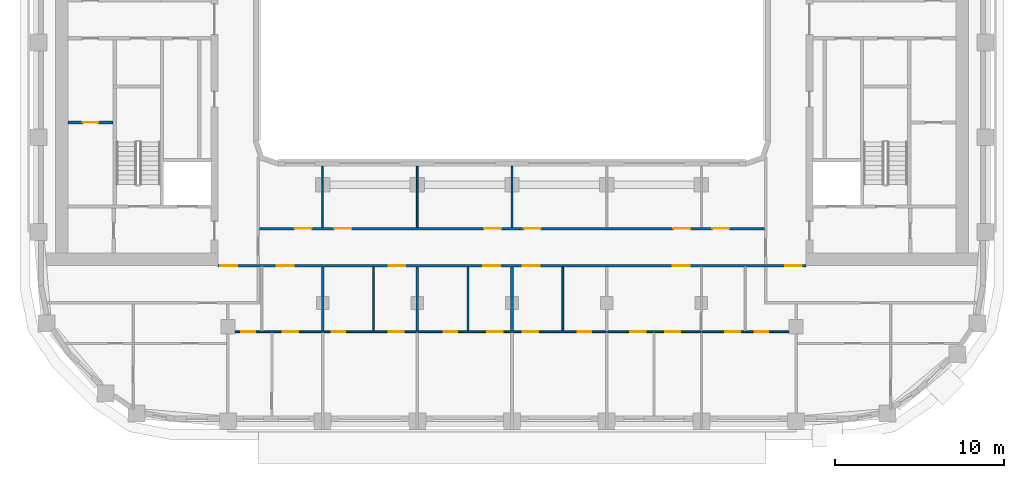
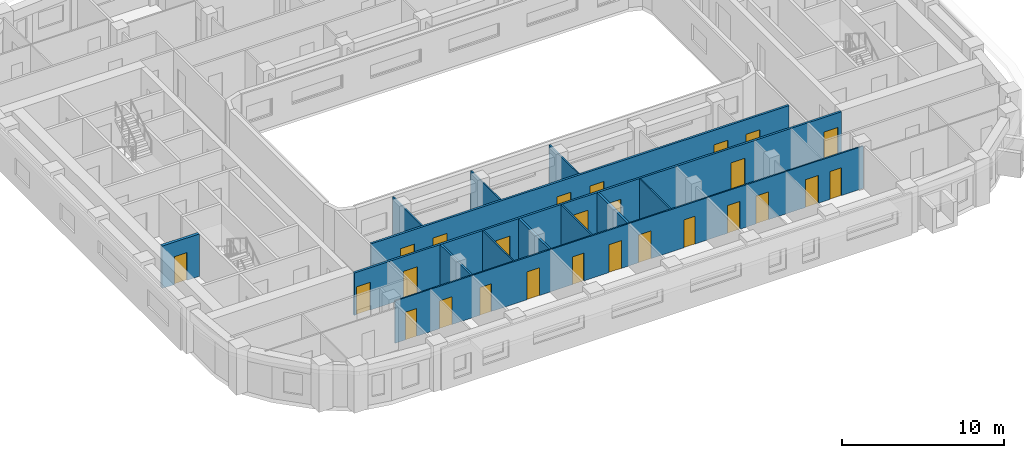
# One storey, part 3 of 22: 26 doors, 13 walls, 26 openings.
"""IFC4 building model written with IfcOpenShell, lengths in metres."""

from ifc_helpers import new_model, si_unit, direction, frame, frame_2d, origin, place, context, subcontext, project, spatial, rectangle, extrude, material, layer, layer_set, type_object, element, fill, save


model = new_model("IFC4")

# Units and contexts
model_context = context("Model", 3, precision=1e-05, world=origin(), true_north=direction((0.0, 1.0)))
body_context = subcontext(model_context, "Body", "Model", "MODEL_VIEW")
ifc_project = project(units=[si_unit("LENGTHUNIT", "METRE"), si_unit("AREAUNIT", "SQUARE_METRE"), si_unit("VOLUMEUNIT", "CUBIC_METRE"), si_unit("PLANEANGLEUNIT", "RADIAN"), si_unit("MASSUNIT", "GRAM", prefix="KILO")], contexts=[model_context])

# Site, building, storey
site_placement = place(None, origin())
site = spatial("IfcSite", under=ifc_project, at=site_placement, CompositionType="ELEMENT")
building_placement = place(site_placement, origin())
building = spatial("IfcBuilding", under=site, at=building_placement, Name="Kiln Ring Residences", CompositionType="ELEMENT")
storey_placement = place(building_placement, frame((0.0, 0.0, 164.10009765625)))
storey = spatial("IfcBuildingStorey", under=building, at=storey_placement, Name="L42", CompositionType="ELEMENT", Elevation=164.10009765625)

# Wall, opening, door
ifc_material_1 = material(Name="Gypsum board on steel studs", Category="steel")
ifc_layer_1 = layer(ifc_material_1, 0.199951171875)
ifc_layer_set_1 = layer_set([ifc_layer_1], Name="CORE-PARTITION-200")
wall_type_1 = type_object("IfcWallType", Name="CORE-PARTITION-200", PredefinedType="PARTITIONING", material=ifc_layer_set_1)
wall_1_placement = place(storey_placement, frame((-23.60009765625, -4.72509765625, 0.0), z_axis=(0.0, 0.0, 1.0), x_axis=(-1.0, 0.0, 0.0)))
wall_1 = element("IfcWall", 1, at=wall_1_placement, inside=storey, type_object=wall_type_1, Name="Core partition west L42 6", PredefinedType="PARTITIONING", context=body_context, shape_type="SweptSolid", body=[
    extrude(rectangle(XDim=2.64990234375, YDim=0.199951171875, at=frame_2d((1.324951171875, 0.0))), origin(), (0.0, 0.0, 1.0), 3.199951171875),
])
opening_1_placement = place(wall_1_placement, frame((0.875, 0.0, 0.0)))
opening_1 = element("IfcOpeningElement", 2, at=opening_1_placement, cuts=wall_1, Name="Opening L42-CW15", PredefinedType="OPENING", context=body_context, shape_type="SweptSolid", body=[
    extrude(rectangle(XDim=0.89990234375, YDim=2.10009765625, at=frame_2d((0.449951171875, 1.050048828125))), frame((0.0, 0.10986328125, 0.0), z_axis=(0.0, -1.0, 0.0), x_axis=(1.0, 0.0, 0.0)), (0.0, 0.0, 1.0), 0.219970703125),
])
ifc_material_2 = material(Name="Steel door leaf", Category="steel")
door_type_1 = type_object("IfcDoorType", Name="CORE-DOOR-ROOM", OperationType="SINGLE_SWING_LEFT", PredefinedType="DOOR", material=ifc_material_2)
door_1_placement = place(opening_1_placement, origin())
door_1 = element("IfcDoor", 3, at=door_1_placement, inside=storey, type_object=door_type_1, Name="Meter room L42-CW15", OperationType="SINGLE_SWING_RIGHT", OverallHeight=2.10009765625, OverallWidth=0.89990234375, PredefinedType="DOOR", context=body_context, shape_type="SweptSolid", body=[
    extrude(rectangle(XDim=0.89990234375, YDim=2.10009765625, at=frame_2d((0.449951171875, 1.050048828125))), frame((0.0, 0.02490234375, 0.0), z_axis=(0.0, -1.0, 0.0), x_axis=(1.0, 0.0, 0.0)), (0.0, 0.0, 1.0), 0.050048828125),
])
fill(opening_1, door_1)

# Wall, openings, doors
ifc_material_3 = material(Name="Gypsum board on steel studs", Category="steel")
ifc_layer_2 = layer(ifc_material_3, 0.10009765625)
ifc_layer_set_2 = layer_set([ifc_layer_2], Name="PARTITION-100")
wall_type_2 = type_object("IfcWallType", Name="PARTITION-100", PredefinedType="PARTITIONING", material=ifc_layer_set_2)
wall_2_placement = place(storey_placement, frame((-16.72509765625, -17.10009765625, 0.0), z_axis=(0.0, 0.0, 1.0), x_axis=(1.0, 0.0, 0.0)))
wall_2 = element("IfcWall", 4, at=wall_2_placement, inside=storey, type_object=wall_type_2, Name="Partition 002", PredefinedType="PARTITIONING", context=body_context, shape_type="SweptSolid", body=[
    extrude(rectangle(XDim=33.4501953125, YDim=0.10009765625, at=frame_2d((16.72509765625, 0.0))), origin(), (0.0, 0.0, 1.0), 3.199951171875),
])
opening_2_placement = place(wall_2_placement, frame((0.72509765625, 0.0, 0.0)))
opening_2 = element("IfcOpeningElement", 5, at=opening_2_placement, cuts=wall_2, Name="Opening L42-D048", PredefinedType="OPENING", context=body_context, shape_type="SweptSolid", body=[
    extrude(rectangle(XDim=0.800048828125, YDim=2.10009765625, at=frame_2d((0.39990234375, 1.050048828125))), frame((0.0, 0.06005859375, 0.0), z_axis=(0.0, -1.0, 0.0), x_axis=(1.0, 0.0, 0.0)), (0.0, 0.0, 1.0), 0.1201171875),
])
opening_3_placement = place(wall_2_placement, frame((3.175048828125, 0.0, 0.0)))
opening_3 = element("IfcOpeningElement", 6, at=opening_3_placement, cuts=wall_2, Name="Opening L42-D049", PredefinedType="OPENING", context=body_context, shape_type="SweptSolid", body=[
    extrude(rectangle(XDim=0.89990234375, YDim=2.10009765625, at=frame_2d((0.449951171875, 1.050048828125))), frame((0.0, 0.06005859375, 0.0), z_axis=(0.0, -1.0, 0.0), x_axis=(1.0, 0.0, 0.0)), (0.0, 0.0, 1.0), 0.1201171875),
])
opening_4_placement = place(wall_2_placement, frame((6.074951171875, 0.0, 0.0)))
opening_4 = element("IfcOpeningElement", 7, at=opening_4_placement, cuts=wall_2, Name="Opening L42-D052", PredefinedType="OPENING", context=body_context, shape_type="SweptSolid", body=[
    extrude(rectangle(XDim=0.800048828125, YDim=2.10009765625, at=frame_2d((0.39990234375, 1.050048828125))), frame((0.0, 0.06005859375, 0.0), z_axis=(0.0, -1.0, 0.0), x_axis=(1.0, 0.0, 0.0)), (0.0, 0.0, 1.0), 0.1201171875),
])
opening_5_placement = place(wall_2_placement, frame((9.425048828125, 0.0, 0.0)))
opening_5 = element("IfcOpeningElement", 8, at=opening_5_placement, cuts=wall_2, Name="Opening L42-D053", PredefinedType="OPENING", context=body_context, shape_type="SweptSolid", body=[
    extrude(rectangle(XDim=0.89990234375, YDim=2.10009765625, at=frame_2d((0.449951171875, 1.050048828125))), frame((0.0, 0.06005859375, 0.0), z_axis=(0.0, -1.0, 0.0), x_axis=(1.0, 0.0, 0.0)), (0.0, 0.0, 1.0), 0.1201171875),
])
opening_6_placement = place(wall_2_placement, frame((12.675048828125, 0.0, 0.0)))
opening_6 = element("IfcOpeningElement", 9, at=opening_6_placement, cuts=wall_2, Name="Opening L42-D055", PredefinedType="OPENING", context=body_context, shape_type="SweptSolid", body=[
    extrude(rectangle(XDim=0.800048828125, YDim=2.10009765625, at=frame_2d((0.39990234375, 1.050048828125))), frame((0.0, 0.06005859375, 0.0), z_axis=(0.0, -1.0, 0.0), x_axis=(1.0, 0.0, 0.0)), (0.0, 0.0, 1.0), 0.1201171875),
])
opening_7_placement = place(wall_2_placement, frame((15.27490234375, 0.0, 0.0)))
opening_7 = element("IfcOpeningElement", 10, at=opening_7_placement, cuts=wall_2, Name="Opening L42-D056", PredefinedType="OPENING", context=body_context, shape_type="SweptSolid", body=[
    extrude(rectangle(XDim=0.89990234375, YDim=2.10009765625, at=frame_2d((0.449951171875, 1.050048828125))), frame((0.0, 0.06005859375, 0.0), z_axis=(0.0, -1.0, 0.0), x_axis=(1.0, 0.0, 0.0)), (0.0, 0.0, 1.0), 0.1201171875),
])
opening_8_placement = place(wall_2_placement, frame((20.625, 0.0, 0.0)))
opening_8 = element("IfcOpeningElement", 11, at=opening_8_placement, cuts=wall_2, Name="Opening L42-D058", PredefinedType="OPENING", context=body_context, shape_type="SweptSolid", body=[
    extrude(rectangle(XDim=0.800048828125, YDim=2.10009765625, at=frame_2d((0.39990234375, 1.050048828125))), frame((0.0, 0.06005859375, 0.0), z_axis=(0.0, -1.0, 0.0), x_axis=(1.0, 0.0, 0.0)), (0.0, 0.0, 1.0), 0.1201171875),
])
opening_9_placement = place(wall_2_placement, frame((17.375, 0.0, 0.0)))
opening_9 = element("IfcOpeningElement", 12, at=opening_9_placement, cuts=wall_2, Name="Opening L42-D059", PredefinedType="OPENING", context=body_context, shape_type="SweptSolid", body=[
    extrude(rectangle(XDim=0.89990234375, YDim=2.10009765625, at=frame_2d((0.449951171875, 1.050048828125))), frame((0.0, 0.06005859375, 0.0), z_axis=(0.0, -1.0, 0.0), x_axis=(1.0, 0.0, 0.0)), (0.0, 0.0, 1.0), 0.1201171875),
])
opening_10_placement = place(wall_2_placement, frame((31.074951171875, 0.0, 0.0)))
opening_10 = element("IfcOpeningElement", 13, at=opening_10_placement, cuts=wall_2, Name="Opening L42-D062", PredefinedType="OPENING", context=body_context, shape_type="SweptSolid", body=[
    extrude(rectangle(XDim=0.800048828125, YDim=2.10009765625, at=frame_2d((0.39990234375, 1.050048828125))), frame((0.0, 0.06005859375, 0.0), z_axis=(0.0, -1.0, 0.0), x_axis=(1.0, 0.0, 0.0)), (0.0, 0.0, 1.0), 0.1201171875),
])
opening_11_placement = place(wall_2_placement, frame((29.324951171875, 0.0, 0.0)))
opening_11 = element("IfcOpeningElement", 14, at=opening_11_placement, cuts=wall_2, Name="Opening L42-D063", PredefinedType="OPENING", context=body_context, shape_type="SweptSolid", body=[
    extrude(rectangle(XDim=0.89990234375, YDim=2.10009765625, at=frame_2d((0.449951171875, 1.050048828125))), frame((0.0, 0.06005859375, 0.0), z_axis=(0.0, -1.0, 0.0), x_axis=(1.0, 0.0, 0.0)), (0.0, 0.0, 1.0), 0.1201171875),
])
opening_12_placement = place(wall_2_placement, frame((23.72509765625, 0.0, 0.0)))
opening_12 = element("IfcOpeningElement", 15, at=opening_12_placement, cuts=wall_2, Name="Opening L42-D064", PredefinedType="OPENING", context=body_context, shape_type="SweptSolid", body=[
    extrude(rectangle(XDim=0.89990234375, YDim=2.10009765625, at=frame_2d((0.449951171875, 1.050048828125))), frame((0.0, 0.06005859375, 0.0), z_axis=(0.0, -1.0, 0.0), x_axis=(1.0, 0.0, 0.0)), (0.0, 0.0, 1.0), 0.1201171875),
])
opening_13_placement = place(wall_2_placement, frame((25.77490234375, 0.0, 0.0)))
opening_13 = element("IfcOpeningElement", 16, at=opening_13_placement, cuts=wall_2, Name="Opening L42-D065", PredefinedType="OPENING", context=body_context, shape_type="SweptSolid", body=[
    extrude(rectangle(XDim=0.89990234375, YDim=2.10009765625, at=frame_2d((0.449951171875, 1.050048828125))), frame((0.0, 0.06005859375, 0.0), z_axis=(0.0, -1.0, 0.0), x_axis=(1.0, 0.0, 0.0)), (0.0, 0.0, 1.0), 0.1201171875),
])
ifc_material_4 = material(Name="Timber door leaf", Category="wood")
door_type_2 = type_object("IfcDoorType", Name="FLAT-DOOR-800-PL", OperationType="SINGLE_SWING_LEFT", PredefinedType="DOOR", material=ifc_material_4)
door_2_placement = place(opening_2_placement, origin())
door_2 = element("IfcDoor", 17, at=door_2_placement, inside=storey, type_object=door_type_2, Name="Door L42-D048", OperationType="SINGLE_SWING_LEFT", OverallHeight=2.10009765625, OverallWidth=0.800048828125, PredefinedType="DOOR", context=body_context, shape_type="SweptSolid", body=[
    extrude(rectangle(XDim=0.800048828125, YDim=2.10009765625, at=frame_2d((0.39990234375, 1.050048828125))), frame((0.0, 0.02490234375, 0.0), z_axis=(0.0, -1.0, 0.0), x_axis=(1.0, 0.0, 0.0)), (0.0, 0.0, 1.0), 0.050048828125),
])
fill(opening_2, door_2)
door_3_placement = place(opening_4_placement, origin())
door_3 = element("IfcDoor", 18, at=door_3_placement, inside=storey, type_object=door_type_2, Name="Door L42-D052", OperationType="SINGLE_SWING_RIGHT", OverallHeight=2.10009765625, OverallWidth=0.800048828125, PredefinedType="DOOR", context=body_context, shape_type="SweptSolid", body=[
    extrude(rectangle(XDim=0.800048828125, YDim=2.10009765625, at=frame_2d((0.39990234375, 1.050048828125))), frame((0.0, 0.02490234375, 0.0), z_axis=(0.0, -1.0, 0.0), x_axis=(1.0, 0.0, 0.0)), (0.0, 0.0, 1.0), 0.050048828125),
])
fill(opening_4, door_3)
door_4_placement = place(opening_6_placement, origin())
door_4 = element("IfcDoor", 19, at=door_4_placement, inside=storey, type_object=door_type_2, Name="Door L42-D055", OperationType="SINGLE_SWING_LEFT", OverallHeight=2.10009765625, OverallWidth=0.800048828125, PredefinedType="DOOR", context=body_context, shape_type="SweptSolid", body=[
    extrude(rectangle(XDim=0.800048828125, YDim=2.10009765625, at=frame_2d((0.39990234375, 1.050048828125))), frame((0.0, 0.02490234375, 0.0), z_axis=(0.0, -1.0, 0.0), x_axis=(1.0, 0.0, 0.0)), (0.0, 0.0, 1.0), 0.050048828125),
])
fill(opening_6, door_4)
door_5_placement = place(opening_8_placement, origin())
door_5 = element("IfcDoor", 20, at=door_5_placement, inside=storey, type_object=door_type_2, Name="Door L42-D058", OperationType="SINGLE_SWING_RIGHT", OverallHeight=2.10009765625, OverallWidth=0.800048828125, PredefinedType="DOOR", context=body_context, shape_type="SweptSolid", body=[
    extrude(rectangle(XDim=0.800048828125, YDim=2.10009765625, at=frame_2d((0.39990234375, 1.050048828125))), frame((0.0, 0.02490234375, 0.0), z_axis=(0.0, -1.0, 0.0), x_axis=(1.0, 0.0, 0.0)), (0.0, 0.0, 1.0), 0.050048828125),
])
fill(opening_8, door_5)
door_6_placement = place(opening_10_placement, origin())
door_6 = element("IfcDoor", 21, at=door_6_placement, inside=storey, type_object=door_type_2, Name="Door L42-D062", OperationType="SINGLE_SWING_RIGHT", OverallHeight=2.10009765625, OverallWidth=0.800048828125, PredefinedType="DOOR", context=body_context, shape_type="SweptSolid", body=[
    extrude(rectangle(XDim=0.800048828125, YDim=2.10009765625, at=frame_2d((0.39990234375, 1.050048828125))), frame((0.0, 0.02490234375, 0.0), z_axis=(0.0, -1.0, 0.0), x_axis=(1.0, 0.0, 0.0)), (0.0, 0.0, 1.0), 0.050048828125),
])
fill(opening_10, door_6)
ifc_material_5 = material(Name="Timber door leaf", Category="wood")
door_type_3 = type_object("IfcDoorType", Name="FLAT-DOOR-900-PL", OperationType="SINGLE_SWING_LEFT", PredefinedType="DOOR", material=ifc_material_5)
door_7_placement = place(opening_3_placement, origin())
door_7 = element("IfcDoor", 22, at=door_7_placement, inside=storey, type_object=door_type_3, Name="Door L42-D049", OperationType="SINGLE_SWING_LEFT", OverallHeight=2.10009765625, OverallWidth=0.89990234375, PredefinedType="DOOR", context=body_context, shape_type="SweptSolid", body=[
    extrude(rectangle(XDim=0.89990234375, YDim=2.10009765625, at=frame_2d((0.449951171875, 1.050048828125))), frame((0.0, 0.02490234375, 0.0), z_axis=(0.0, -1.0, 0.0), x_axis=(1.0, 0.0, 0.0)), (0.0, 0.0, 1.0), 0.050048828125),
])
fill(opening_3, door_7)
door_8_placement = place(opening_5_placement, origin())
door_8 = element("IfcDoor", 23, at=door_8_placement, inside=storey, type_object=door_type_3, Name="Door L42-D053", OperationType="SINGLE_SWING_LEFT", OverallHeight=2.10009765625, OverallWidth=0.89990234375, PredefinedType="DOOR", context=body_context, shape_type="SweptSolid", body=[
    extrude(rectangle(XDim=0.89990234375, YDim=2.10009765625, at=frame_2d((0.449951171875, 1.050048828125))), frame((0.0, 0.02490234375, 0.0), z_axis=(0.0, -1.0, 0.0), x_axis=(1.0, 0.0, 0.0)), (0.0, 0.0, 1.0), 0.050048828125),
])
fill(opening_5, door_8)
door_9_placement = place(opening_7_placement, origin())
door_9 = element("IfcDoor", 24, at=door_9_placement, inside=storey, type_object=door_type_3, Name="Door L42-D056", OperationType="SINGLE_SWING_RIGHT", OverallHeight=2.10009765625, OverallWidth=0.89990234375, PredefinedType="DOOR", context=body_context, shape_type="SweptSolid", body=[
    extrude(rectangle(XDim=0.89990234375, YDim=2.10009765625, at=frame_2d((0.449951171875, 1.050048828125))), frame((0.0, 0.02490234375, 0.0), z_axis=(0.0, -1.0, 0.0), x_axis=(1.0, 0.0, 0.0)), (0.0, 0.0, 1.0), 0.050048828125),
])
fill(opening_7, door_9)
door_10_placement = place(opening_9_placement, origin())
door_10 = element("IfcDoor", 25, at=door_10_placement, inside=storey, type_object=door_type_3, Name="Door L42-D059", OperationType="SINGLE_SWING_LEFT", OverallHeight=2.10009765625, OverallWidth=0.89990234375, PredefinedType="DOOR", context=body_context, shape_type="SweptSolid", body=[
    extrude(rectangle(XDim=0.89990234375, YDim=2.10009765625, at=frame_2d((0.449951171875, 1.050048828125))), frame((0.0, 0.02490234375, 0.0), z_axis=(0.0, -1.0, 0.0), x_axis=(1.0, 0.0, 0.0)), (0.0, 0.0, 1.0), 0.050048828125),
])
fill(opening_9, door_10)
door_11_placement = place(opening_11_placement, origin())
door_11 = element("IfcDoor", 26, at=door_11_placement, inside=storey, type_object=door_type_3, Name="Door L42-D063", OperationType="SINGLE_SWING_RIGHT", OverallHeight=2.10009765625, OverallWidth=0.89990234375, PredefinedType="DOOR", context=body_context, shape_type="SweptSolid", body=[
    extrude(rectangle(XDim=0.89990234375, YDim=2.10009765625, at=frame_2d((0.449951171875, 1.050048828125))), frame((0.0, 0.02490234375, 0.0), z_axis=(0.0, -1.0, 0.0), x_axis=(1.0, 0.0, 0.0)), (0.0, 0.0, 1.0), 0.050048828125),
])
fill(opening_11, door_11)
door_12_placement = place(opening_12_placement, origin())
door_12 = element("IfcDoor", 27, at=door_12_placement, inside=storey, type_object=door_type_3, Name="Door L42-D064", OperationType="SINGLE_SWING_RIGHT", OverallHeight=2.10009765625, OverallWidth=0.89990234375, PredefinedType="DOOR", context=body_context, shape_type="SweptSolid", body=[
    extrude(rectangle(XDim=0.89990234375, YDim=2.10009765625, at=frame_2d((0.449951171875, 1.050048828125))), frame((0.0, 0.02490234375, 0.0), z_axis=(0.0, -1.0, 0.0), x_axis=(1.0, 0.0, 0.0)), (0.0, 0.0, 1.0), 0.050048828125),
])
fill(opening_12, door_12)
door_13_placement = place(opening_13_placement, origin())
door_13 = element("IfcDoor", 28, at=door_13_placement, inside=storey, type_object=door_type_3, Name="Door L42-D065", OperationType="SINGLE_SWING_LEFT", OverallHeight=2.10009765625, OverallWidth=0.89990234375, PredefinedType="DOOR", context=body_context, shape_type="SweptSolid", body=[
    extrude(rectangle(XDim=0.89990234375, YDim=2.10009765625, at=frame_2d((0.449951171875, 1.050048828125))), frame((0.0, 0.02490234375, 0.0), z_axis=(0.0, -1.0, 0.0), x_axis=(1.0, 0.0, 0.0)), (0.0, 0.0, 1.0), 0.050048828125),
])
fill(opening_13, door_13)

# Walls
wall_3_placement = place(storey_placement, frame((-11.199951171875, -10.925048828125, 0.0), z_axis=(0.0, 0.0, 1.0), x_axis=(0.0, 1.0, 0.0)))
element("IfcWall", 29, at=wall_3_placement, inside=storey, type_object=wall_type_2, Name="Partition 026", PredefinedType="PARTITIONING", context=body_context, shape_type="SweptSolid", body=[
    extrude(rectangle(XDim=3.60498046875, YDim=0.10009765625, at=frame_2d((1.802490234375, 0.0))), origin(), (0.0, 0.0, 1.0), 3.199951171875),
])
wall_4_placement = place(storey_placement, frame((-8.199951171875, -17.050048828125, 0.0), z_axis=(0.0, 0.0, 1.0), x_axis=(0.0, 1.0, 0.0)))
element("IfcWall", 30, at=wall_4_placement, inside=storey, type_object=wall_type_2, Name="Partition 032", PredefinedType="PARTITIONING", context=body_context, shape_type="SweptSolid", body=[
    extrude(rectangle(XDim=3.775146484375, YDim=0.10009765625, at=frame_2d((1.8876953125, 0.0))), origin(), (0.0, 0.0, 1.0), 3.199951171875),
])
wall_5_placement = place(storey_placement, frame((-5.60009765625, -10.925048828125, 0.0), z_axis=(0.0, 0.0, 1.0), x_axis=(0.0, 1.0, 0.0)))
element("IfcWall", 31, at=wall_5_placement, inside=storey, type_object=wall_type_2, Name="Partition 033", PredefinedType="PARTITIONING", context=body_context, shape_type="SweptSolid", body=[
    extrude(rectangle(XDim=3.60498046875, YDim=0.10009765625, at=frame_2d((1.802490234375, 0.0))), origin(), (0.0, 0.0, 1.0), 3.199951171875),
])
wall_6_placement = place(storey_placement, frame((-2.60009765625, -17.050048828125, 0.0), z_axis=(0.0, 0.0, 1.0), x_axis=(0.0, 1.0, 0.0)))
element("IfcWall", 32, at=wall_6_placement, inside=storey, type_object=wall_type_2, Name="Partition 040", PredefinedType="PARTITIONING", context=body_context, shape_type="SweptSolid", body=[
    extrude(rectangle(XDim=3.775146484375, YDim=0.10009765625, at=frame_2d((1.8876953125, 0.0))), origin(), (0.0, 0.0, 1.0), 3.199951171875),
])
wall_7_placement = place(storey_placement, frame((0.0, -10.925048828125, 0.0), z_axis=(0.0, 0.0, 1.0), x_axis=(0.0, 1.0, 0.0)))
element("IfcWall", 33, at=wall_7_placement, inside=storey, type_object=wall_type_2, Name="Partition 041", PredefinedType="PARTITIONING", context=body_context, shape_type="SweptSolid", body=[
    extrude(rectangle(XDim=3.60498046875, YDim=0.10009765625, at=frame_2d((1.802490234375, 0.0))), origin(), (0.0, 0.0, 1.0), 3.199951171875),
])
wall_8_placement = place(storey_placement, frame((3.0, -17.050048828125, 0.0), z_axis=(0.0, 0.0, 1.0), x_axis=(0.0, 1.0, 0.0)))
element("IfcWall", 34, at=wall_8_placement, inside=storey, type_object=wall_type_2, Name="Partition 049", PredefinedType="PARTITIONING", context=body_context, shape_type="SweptSolid", body=[
    extrude(rectangle(XDim=3.775146484375, YDim=0.10009765625, at=frame_2d((1.8876953125, 0.0))), origin(), (0.0, 0.0, 1.0), 3.199951171875),
])

# Wall, openings, doors
ifc_material_6 = material(Name="Brick masonry partition", Category="masonry")
ifc_layer_3 = layer(ifc_material_6, 0.14990234375)
ifc_layer_set_3 = layer_set([ifc_layer_3], Name="PARTITION-150-ei60")
wall_type_3 = type_object("IfcWallType", Name="PARTITION-150-ei60", PredefinedType="PARTITIONING", material=ifc_layer_set_3)
wall_9_placement = place(storey_placement, frame((-17.39990234375, -13.199951171875, 0.0), z_axis=(0.0, 0.0, 1.0), x_axis=(1.0, 0.0, 0.0)))
wall_9 = element("IfcWall", 35, at=wall_9_placement, inside=storey, type_object=wall_type_3, Name="Partition 005", PredefinedType="PARTITIONING", context=body_context, shape_type="SweptSolid", body=[
    extrude(rectangle(XDim=34.7998046875, YDim=0.14990234375, at=frame_2d((17.39990234375, 0.0))), origin(), (0.0, 0.0, 1.0), 3.199951171875),
])
opening_14_placement = place(wall_9_placement, frame((0.14990234375, 0.0, 0.0)))
opening_14 = element("IfcOpeningElement", 36, at=opening_14_placement, cuts=wall_9, Name="Opening L42-D007", PredefinedType="OPENING", context=body_context, shape_type="SweptSolid", body=[
    extrude(rectangle(XDim=1.0, YDim=2.10009765625, at=frame_2d((0.5, 1.050048828125))), frame((0.0, 0.0849609375, 0.0), z_axis=(0.0, -1.0, 0.0), x_axis=(1.0, 0.0, 0.0)), (0.0, 0.0, 1.0), 0.169921875),
])
opening_15_placement = place(wall_9_placement, frame((33.550048828125, 0.0, 0.0)))
opening_15 = element("IfcOpeningElement", 37, at=opening_15_placement, cuts=wall_9, Name="Opening L42-D008", PredefinedType="OPENING", context=body_context, shape_type="SweptSolid", body=[
    extrude(rectangle(XDim=1.0, YDim=2.10009765625, at=frame_2d((0.5, 1.050048828125))), frame((0.0, 0.0849609375, 0.0), z_axis=(0.0, -1.0, 0.0), x_axis=(1.0, 0.0, 0.0)), (0.0, 0.0, 1.0), 0.169921875),
])
opening_16_placement = place(wall_9_placement, frame((3.5, 0.0, 0.0)))
opening_16 = element("IfcOpeningElement", 38, at=opening_16_placement, cuts=wall_9, Name="Opening L42-D047", PredefinedType="OPENING", context=body_context, shape_type="SweptSolid", body=[
    extrude(rectangle(XDim=1.0, YDim=2.10009765625, at=frame_2d((0.5, 1.050048828125))), frame((0.0, 0.0849609375, 0.0), z_axis=(0.0, -1.0, 0.0), x_axis=(1.0, 0.0, 0.0)), (0.0, 0.0, 1.0), 0.169921875),
])
opening_17_placement = place(wall_9_placement, frame((10.10009765625, 0.0, 0.0)))
opening_17 = element("IfcOpeningElement", 39, at=opening_17_placement, cuts=wall_9, Name="Opening L42-D051", PredefinedType="OPENING", context=body_context, shape_type="SweptSolid", body=[
    extrude(rectangle(XDim=1.0, YDim=2.10009765625, at=frame_2d((0.5, 1.050048828125))), frame((0.0, 0.0849609375, 0.0), z_axis=(0.0, -1.0, 0.0), x_axis=(1.0, 0.0, 0.0)), (0.0, 0.0, 1.0), 0.169921875),
])
opening_18_placement = place(wall_9_placement, frame((15.699951171875, 0.0, 0.0)))
opening_18 = element("IfcOpeningElement", 40, at=opening_18_placement, cuts=wall_9, Name="Opening L42-D054", PredefinedType="OPENING", context=body_context, shape_type="SweptSolid", body=[
    extrude(rectangle(XDim=1.0, YDim=2.10009765625, at=frame_2d((0.5, 1.050048828125))), frame((0.0, 0.0849609375, 0.0), z_axis=(0.0, -1.0, 0.0), x_axis=(1.0, 0.0, 0.0)), (0.0, 0.0, 1.0), 0.169921875),
])
opening_19_placement = place(wall_9_placement, frame((18.050048828125, 0.0, 0.0)))
opening_19 = element("IfcOpeningElement", 41, at=opening_19_placement, cuts=wall_9, Name="Opening L42-D057", PredefinedType="OPENING", context=body_context, shape_type="SweptSolid", body=[
    extrude(rectangle(XDim=1.0, YDim=2.10009765625, at=frame_2d((0.5, 1.050048828125))), frame((0.0, 0.0849609375, 0.0), z_axis=(0.0, -1.0, 0.0), x_axis=(1.0, 0.0, 0.0)), (0.0, 0.0, 1.0), 0.169921875),
])
opening_20_placement = place(wall_9_placement, frame((26.89990234375, 0.0, 0.0)))
opening_20 = element("IfcOpeningElement", 42, at=opening_20_placement, cuts=wall_9, Name="Opening L42-D060", PredefinedType="OPENING", context=body_context, shape_type="SweptSolid", body=[
    extrude(rectangle(XDim=1.0, YDim=2.10009765625, at=frame_2d((0.5, 1.050048828125))), frame((0.0, 0.0849609375, 0.0), z_axis=(0.0, -1.0, 0.0), x_axis=(1.0, 0.0, 0.0)), (0.0, 0.0, 1.0), 0.169921875),
])
ifc_material_7 = material(Name="Steel faced fire door leaf", Category="steel")
door_type_4 = type_object("IfcDoorType", Name="FLAT-DOOR-1000-FR", OperationType="SINGLE_SWING_LEFT", PredefinedType="DOOR", material=ifc_material_7)
door_14_placement = place(opening_14_placement, origin())
door_14 = element("IfcDoor", 43, at=door_14_placement, inside=storey, type_object=door_type_4, Name="Door L42-D007", OperationType="SINGLE_SWING_RIGHT", OverallHeight=2.10009765625, OverallWidth=1.0, PredefinedType="DOOR", context=body_context, shape_type="SweptSolid", body=[
    extrude(rectangle(XDim=1.0, YDim=2.10009765625, at=frame_2d((0.5, 1.050048828125))), frame((0.0, 0.02490234375, 0.0), z_axis=(0.0, -1.0, 0.0), x_axis=(1.0, 0.0, 0.0)), (0.0, 0.0, 1.0), 0.050048828125),
])
fill(opening_14, door_14)
door_15_placement = place(opening_15_placement, origin())
door_15 = element("IfcDoor", 44, at=door_15_placement, inside=storey, type_object=door_type_4, Name="Door L42-D008", OperationType="SINGLE_SWING_LEFT", OverallHeight=2.10009765625, OverallWidth=1.0, PredefinedType="DOOR", context=body_context, shape_type="SweptSolid", body=[
    extrude(rectangle(XDim=1.0, YDim=2.10009765625, at=frame_2d((0.5, 1.050048828125))), frame((0.0, 0.02490234375, 0.0), z_axis=(0.0, -1.0, 0.0), x_axis=(1.0, 0.0, 0.0)), (0.0, 0.0, 1.0), 0.050048828125),
])
fill(opening_15, door_15)
door_16_placement = place(opening_16_placement, origin())
door_16 = element("IfcDoor", 45, at=door_16_placement, inside=storey, type_object=door_type_4, Name="Door L42-D047", OperationType="SINGLE_SWING_LEFT", OverallHeight=2.10009765625, OverallWidth=1.0, PredefinedType="DOOR", context=body_context, shape_type="SweptSolid", body=[
    extrude(rectangle(XDim=1.0, YDim=2.10009765625, at=frame_2d((0.5, 1.050048828125))), frame((0.0, 0.02490234375, 0.0), z_axis=(0.0, -1.0, 0.0), x_axis=(1.0, 0.0, 0.0)), (0.0, 0.0, 1.0), 0.050048828125),
])
fill(opening_16, door_16)
door_17_placement = place(opening_17_placement, origin())
door_17 = element("IfcDoor", 46, at=door_17_placement, inside=storey, type_object=door_type_4, Name="Door L42-D051", OperationType="SINGLE_SWING_LEFT", OverallHeight=2.10009765625, OverallWidth=1.0, PredefinedType="DOOR", context=body_context, shape_type="SweptSolid", body=[
    extrude(rectangle(XDim=1.0, YDim=2.10009765625, at=frame_2d((0.5, 1.050048828125))), frame((0.0, 0.02490234375, 0.0), z_axis=(0.0, -1.0, 0.0), x_axis=(1.0, 0.0, 0.0)), (0.0, 0.0, 1.0), 0.050048828125),
])
fill(opening_17, door_17)
door_18_placement = place(opening_18_placement, origin())
door_18 = element("IfcDoor", 47, at=door_18_placement, inside=storey, type_object=door_type_4, Name="Door L42-D054", OperationType="SINGLE_SWING_RIGHT", OverallHeight=2.10009765625, OverallWidth=1.0, PredefinedType="DOOR", context=body_context, shape_type="SweptSolid", body=[
    extrude(rectangle(XDim=1.0, YDim=2.10009765625, at=frame_2d((0.5, 1.050048828125))), frame((0.0, 0.02490234375, 0.0), z_axis=(0.0, -1.0, 0.0), x_axis=(1.0, 0.0, 0.0)), (0.0, 0.0, 1.0), 0.050048828125),
])
fill(opening_18, door_18)
door_19_placement = place(opening_19_placement, origin())
door_19 = element("IfcDoor", 48, at=door_19_placement, inside=storey, type_object=door_type_4, Name="Door L42-D057", OperationType="SINGLE_SWING_LEFT", OverallHeight=2.10009765625, OverallWidth=1.0, PredefinedType="DOOR", context=body_context, shape_type="SweptSolid", body=[
    extrude(rectangle(XDim=1.0, YDim=2.10009765625, at=frame_2d((0.5, 1.050048828125))), frame((0.0, 0.02490234375, 0.0), z_axis=(0.0, -1.0, 0.0), x_axis=(1.0, 0.0, 0.0)), (0.0, 0.0, 1.0), 0.050048828125),
])
fill(opening_19, door_19)
door_20_placement = place(opening_20_placement, origin())
door_20 = element("IfcDoor", 49, at=door_20_placement, inside=storey, type_object=door_type_4, Name="Door L42-D060", OperationType="SINGLE_SWING_RIGHT", OverallHeight=2.10009765625, OverallWidth=1.0, PredefinedType="DOOR", context=body_context, shape_type="SweptSolid", body=[
    extrude(rectangle(XDim=1.0, YDim=2.10009765625, at=frame_2d((0.5, 1.050048828125))), frame((0.0, 0.02490234375, 0.0), z_axis=(0.0, -1.0, 0.0), x_axis=(1.0, 0.0, 0.0)), (0.0, 0.0, 1.0), 0.050048828125),
])
fill(opening_20, door_20)

wall_10_placement = place(storey_placement, frame((-14.925048828125, -11.0, 0.0), z_axis=(0.0, 0.0, 1.0), x_axis=(1.0, 0.0, 0.0)))
wall_10 = element("IfcWall", 50, at=wall_10_placement, inside=storey, type_object=wall_type_3, Name="Partition 006", PredefinedType="PARTITIONING", context=body_context, shape_type="SweptSolid", body=[
    extrude(rectangle(XDim=29.85009765625, YDim=0.14990234375, at=frame_2d((14.925048828125, 0.0))), origin(), (0.0, 0.0, 1.0), 3.199951171875),
])
opening_21_placement = place(wall_10_placement, frame((2.074951171875, 0.0, 0.0)))
opening_21 = element("IfcOpeningElement", 51, at=opening_21_placement, cuts=wall_10, Name="Opening L42-D041", PredefinedType="OPENING", context=body_context, shape_type="SweptSolid", body=[
    extrude(rectangle(XDim=1.0, YDim=2.10009765625, at=frame_2d((0.5, 1.050048828125))), frame((0.0, 0.0849609375, 0.0), z_axis=(0.0, -1.0, 0.0), x_axis=(1.0, 0.0, 0.0)), (0.0, 0.0, 1.0), 0.169921875),
])
opening_22_placement = place(wall_10_placement, frame((4.425048828125, 0.0, 0.0)))
opening_22 = element("IfcOpeningElement", 52, at=opening_22_placement, cuts=wall_10, Name="Opening L42-D042", PredefinedType="OPENING", context=body_context, shape_type="SweptSolid", body=[
    extrude(rectangle(XDim=1.0, YDim=2.10009765625, at=frame_2d((0.5, 1.050048828125))), frame((0.0, 0.0849609375, 0.0), z_axis=(0.0, -1.0, 0.0), x_axis=(1.0, 0.0, 0.0)), (0.0, 0.0, 1.0), 0.169921875),
])
opening_23_placement = place(wall_10_placement, frame((13.27490234375, 0.0, 0.0)))
opening_23 = element("IfcOpeningElement", 53, at=opening_23_placement, cuts=wall_10, Name="Opening L42-D043", PredefinedType="OPENING", context=body_context, shape_type="SweptSolid", body=[
    extrude(rectangle(XDim=1.0, YDim=2.10009765625, at=frame_2d((0.5, 1.050048828125))), frame((0.0, 0.0849609375, 0.0), z_axis=(0.0, -1.0, 0.0), x_axis=(1.0, 0.0, 0.0)), (0.0, 0.0, 1.0), 0.169921875),
])
opening_24_placement = place(wall_10_placement, frame((15.625, 0.0, 0.0)))
opening_24 = element("IfcOpeningElement", 54, at=opening_24_placement, cuts=wall_10, Name="Opening L42-D044", PredefinedType="OPENING", context=body_context, shape_type="SweptSolid", body=[
    extrude(rectangle(XDim=1.0, YDim=2.10009765625, at=frame_2d((0.5, 1.050048828125))), frame((0.0, 0.0849609375, 0.0), z_axis=(0.0, -1.0, 0.0), x_axis=(1.0, 0.0, 0.0)), (0.0, 0.0, 1.0), 0.169921875),
])
opening_25_placement = place(wall_10_placement, frame((24.47509765625, 0.0, 0.0)))
opening_25 = element("IfcOpeningElement", 55, at=opening_25_placement, cuts=wall_10, Name="Opening L42-D045", PredefinedType="OPENING", context=body_context, shape_type="SweptSolid", body=[
    extrude(rectangle(XDim=1.0, YDim=2.10009765625, at=frame_2d((0.5, 1.050048828125))), frame((0.0, 0.0849609375, 0.0), z_axis=(0.0, -1.0, 0.0), x_axis=(1.0, 0.0, 0.0)), (0.0, 0.0, 1.0), 0.169921875),
])
opening_26_placement = place(wall_10_placement, frame((26.77392578125, 0.0, 0.0)))
opening_26 = element("IfcOpeningElement", 56, at=opening_26_placement, cuts=wall_10, Name="Opening L42-D046", PredefinedType="OPENING", context=body_context, shape_type="SweptSolid", body=[
    extrude(rectangle(XDim=1.0, YDim=2.10009765625, at=frame_2d((0.5, 1.050048828125))), frame((0.0, 0.0849609375, 0.0), z_axis=(0.0, -1.0, 0.0), x_axis=(1.0, 0.0, 0.0)), (0.0, 0.0, 1.0), 0.169921875),
])
door_21_placement = place(opening_21_placement, origin())
door_21 = element("IfcDoor", 57, at=door_21_placement, inside=storey, type_object=door_type_4, Name="Door L42-D041", OperationType="SINGLE_SWING_LEFT", OverallHeight=2.10009765625, OverallWidth=1.0, PredefinedType="DOOR", context=body_context, shape_type="SweptSolid", body=[
    extrude(rectangle(XDim=1.0, YDim=2.10009765625, at=frame_2d((0.5, 1.050048828125))), frame((0.0, 0.02490234375, 0.0), z_axis=(0.0, -1.0, 0.0), x_axis=(1.0, 0.0, 0.0)), (0.0, 0.0, 1.0), 0.050048828125),
])
fill(opening_21, door_21)
door_22_placement = place(opening_22_placement, origin())
door_22 = element("IfcDoor", 58, at=door_22_placement, inside=storey, type_object=door_type_4, Name="Door L42-D042", OperationType="SINGLE_SWING_RIGHT", OverallHeight=2.10009765625, OverallWidth=1.0, PredefinedType="DOOR", context=body_context, shape_type="SweptSolid", body=[
    extrude(rectangle(XDim=1.0, YDim=2.10009765625, at=frame_2d((0.5, 1.050048828125))), frame((0.0, 0.02490234375, 0.0), z_axis=(0.0, -1.0, 0.0), x_axis=(1.0, 0.0, 0.0)), (0.0, 0.0, 1.0), 0.050048828125),
])
fill(opening_22, door_22)
door_23_placement = place(opening_23_placement, origin())
door_23 = element("IfcDoor", 59, at=door_23_placement, inside=storey, type_object=door_type_4, Name="Door L42-D043", OperationType="SINGLE_SWING_LEFT", OverallHeight=2.10009765625, OverallWidth=1.0, PredefinedType="DOOR", context=body_context, shape_type="SweptSolid", body=[
    extrude(rectangle(XDim=1.0, YDim=2.10009765625, at=frame_2d((0.5, 1.050048828125))), frame((0.0, 0.02490234375, 0.0), z_axis=(0.0, -1.0, 0.0), x_axis=(1.0, 0.0, 0.0)), (0.0, 0.0, 1.0), 0.050048828125),
])
fill(opening_23, door_23)
door_24_placement = place(opening_24_placement, origin())
door_24 = element("IfcDoor", 60, at=door_24_placement, inside=storey, type_object=door_type_4, Name="Door L42-D044", OperationType="SINGLE_SWING_RIGHT", OverallHeight=2.10009765625, OverallWidth=1.0, PredefinedType="DOOR", context=body_context, shape_type="SweptSolid", body=[
    extrude(rectangle(XDim=1.0, YDim=2.10009765625, at=frame_2d((0.5, 1.050048828125))), frame((0.0, 0.02490234375, 0.0), z_axis=(0.0, -1.0, 0.0), x_axis=(1.0, 0.0, 0.0)), (0.0, 0.0, 1.0), 0.050048828125),
])
fill(opening_24, door_24)
door_25_placement = place(opening_25_placement, origin())
door_25 = element("IfcDoor", 61, at=door_25_placement, inside=storey, type_object=door_type_4, Name="Door L42-D045", OperationType="SINGLE_SWING_LEFT", OverallHeight=2.10009765625, OverallWidth=1.0, PredefinedType="DOOR", context=body_context, shape_type="SweptSolid", body=[
    extrude(rectangle(XDim=1.0, YDim=2.10009765625, at=frame_2d((0.5, 1.050048828125))), frame((0.0, 0.02490234375, 0.0), z_axis=(0.0, -1.0, 0.0), x_axis=(1.0, 0.0, 0.0)), (0.0, 0.0, 1.0), 0.050048828125),
])
fill(opening_25, door_25)
door_26_placement = place(opening_26_placement, origin())
door_26 = element("IfcDoor", 62, at=door_26_placement, inside=storey, type_object=door_type_4, Name="Door L42-D046", OperationType="SINGLE_SWING_RIGHT", OverallHeight=2.10009765625, OverallWidth=1.0, PredefinedType="DOOR", context=body_context, shape_type="SweptSolid", body=[
    extrude(rectangle(XDim=1.0, YDim=2.10009765625, at=frame_2d((0.5, 1.050048828125))), frame((0.0, 0.02490234375, 0.0), z_axis=(0.0, -1.0, 0.0), x_axis=(1.0, 0.0, 0.0)), (0.0, 0.0, 1.0), 0.050048828125),
])
fill(opening_26, door_26)

# Walls
for number, where, z_axis, x_axis, name in (
    (63, (-11.199951171875, -17.050048828125, 0.0), (0.0, 0.0, 1.0), (0.0, 1.0, 0.0), "Partition 031"),
    (64, (-5.60009765625, -17.050048828125, 0.0), (0.0, 0.0, 1.0), (0.0, 1.0, 0.0), "Partition 038"),
    (65, (0.0, -17.050048828125, 0.0), (0.0, 0.0, 1.0), (0.0, 1.0, 0.0), "Partition 044"),
):
    element("IfcWall", number, at=place(storey_placement, frame(where, z_axis=z_axis, x_axis=x_axis)), inside=storey, type_object=wall_type_3, Name=name, PredefinedType="PARTITIONING", context=body_context, shape_type="SweptSolid", body=[
        extrude(rectangle(XDim=3.775146484375, YDim=0.14990234375, at=frame_2d((1.8876953125, 0.0))), origin(), (0.0, 0.0, 1.0), 3.199951171875),
    ])

save(model, "model.ifc")
